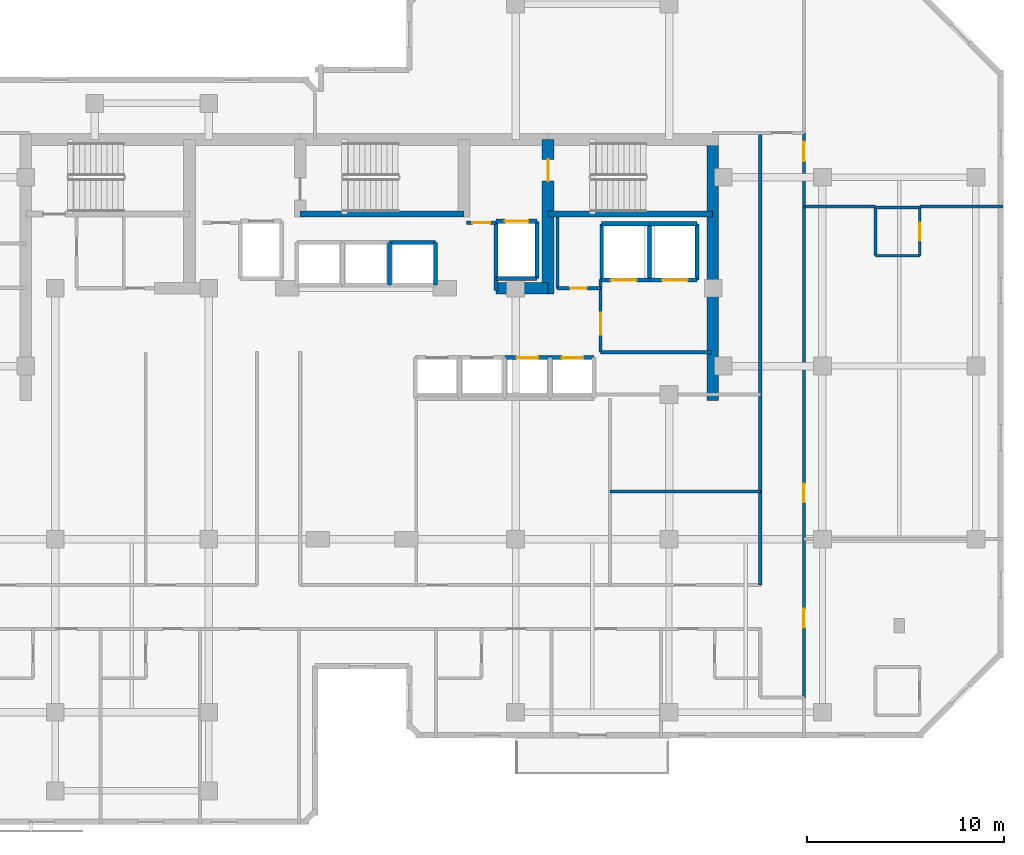
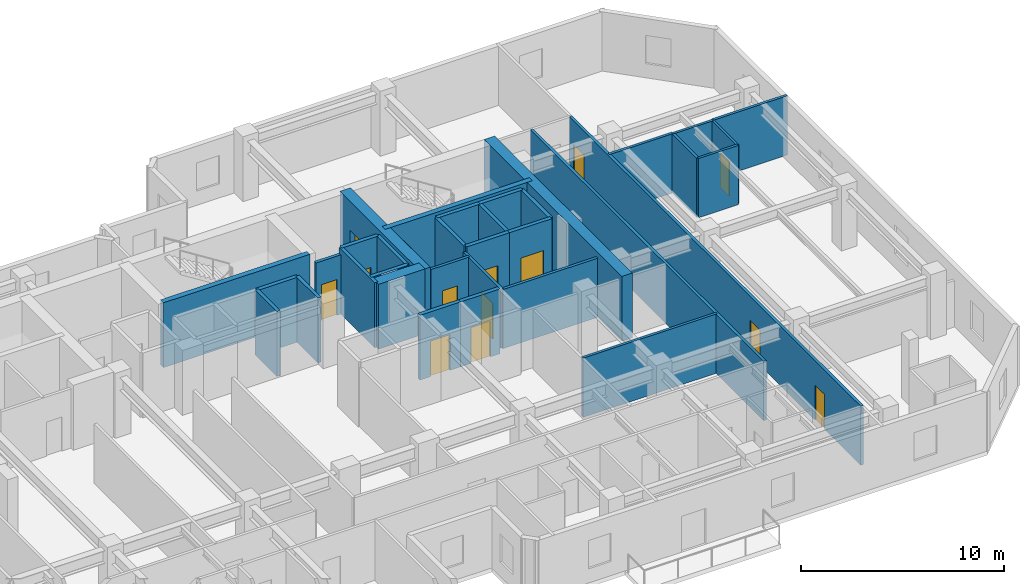
# One storey, part 7 of 11: 35 walls, 13 doors, 13 openings.
"""IFC4 building model written with IfcOpenShell, lengths in metres."""

from ifc_helpers import new_model, si_unit, direction, frame, frame_2d, origin, place, context, subcontext, project, spatial, rectangle, extrude, material, layer, layer_set, type_object, element, fill, save


model = new_model("IFC4")

# Units and contexts
model_context = context("Model", 3, precision=1e-05, world=origin(), true_north=direction((0.0, 1.0)))
body_context = subcontext(model_context, "Body", "Model", "MODEL_VIEW")
ifc_project = project(units=[si_unit("LENGTHUNIT", "METRE"), si_unit("AREAUNIT", "SQUARE_METRE"), si_unit("VOLUMEUNIT", "CUBIC_METRE"), si_unit("PLANEANGLEUNIT", "RADIAN"), si_unit("MASSUNIT", "GRAM", prefix="KILO")], contexts=[model_context])

# Site, building, storey
site_placement = place(None, origin())
site = spatial("IfcSite", under=ifc_project, at=site_placement, CompositionType="ELEMENT")
building_placement = place(site_placement, origin())
building = spatial("IfcBuilding", under=site, at=building_placement, Name="Kestravale Grand Hotel", CompositionType="ELEMENT")
storey_placement = place(building_placement, frame((0.0, 0.0, 228.0)))
storey = spatial("IfcBuildingStorey", under=building, at=storey_placement, Name="L57", CompositionType="ELEMENT", Elevation=228.0)

# Walls
ifc_material_1 = material(Name="Concrete f'c 50 MPa", Category="concrete")
ifc_layer_1 = layer(ifc_material_1, 0.60009765625)
ifc_layer_set_1 = layer_set([ifc_layer_1], Name="EW-CORE-600")
wall_type_1 = type_object("IfcWallType", Name="EW-CORE-600", PredefinedType="SHEAR", material=ifc_layer_set_1)
wall_1_placement = place(storey_placement, frame((56.820068359375, 27.050048828125, 0.0), z_axis=(0.0, 0.0, 1.0), x_axis=(0.0, 1.0, 0.0)))
element("IfcWall", 1, at=wall_1_placement, inside=storey, type_object=wall_type_1, Name="L57 core shear wall E1", PredefinedType="SHEAR", context=body_context, shape_type="SweptSolid", body=[
    extrude(rectangle(XDim=13.570068359375, YDim=0.60009765625, at=frame_2d((6.78515625, 0.0))), origin(), (0.0, 0.0, 1.0), 3.89990234375),
])
wall_2_placement = place(storey_placement, frame((45.81005859375, 32.75, 0.0), z_axis=(0.0, 0.0, 1.0), x_axis=(1.0, 0.0, 0.0)))
element("IfcWall", 2, at=wall_2_placement, inside=storey, type_object=wall_type_1, Name="L57 core shear wall S2", PredefinedType="SHEAR", context=body_context, shape_type="SweptSolid", body=[
    extrude(rectangle(XDim=2.639892578125, YDim=0.60009765625, at=frame_2d((1.31982421875, 0.0))), origin(), (0.0, 0.0, 1.0), 3.89990234375),
])

# Wall, opening, door
wall_3_placement = place(storey_placement, frame((48.449951171875, 32.449951171875, 0.0), z_axis=(0.0, 0.0, 1.0), x_axis=(0.0, 1.0, 0.0)))
wall_3 = element("IfcWall", 3, at=wall_3_placement, inside=storey, type_object=wall_type_1, Name="L57 core shear wall X4", PredefinedType="SHEAR", context=body_context, shape_type="SweptSolid", body=[
    extrude(rectangle(XDim=7.8701171875, YDim=0.60009765625, at=frame_2d((3.93505859375, 0.0))), origin(), (0.0, 0.0, 1.0), 3.89990234375),
])
opening_1_placement = place(wall_3_placement, frame((5.75, 0.0, 0.0)))
opening_1 = element("IfcOpeningElement", 4, at=opening_1_placement, cuts=wall_3, Name="Opening D-ST-1100", PredefinedType="OPENING", context=body_context, shape_type="SweptSolid", body=[
    extrude(rectangle(XDim=1.10009765625, YDim=2.14990234375, at=frame_2d((0.550048828125, 1.074951171875))), frame((0.0, 0.31005859375, 0.0), z_axis=(0.0, -1.0, 0.0), x_axis=(1.0, 0.0, 0.0)), (0.0, 0.0, 1.0), 0.6201171875),
])
ifc_material_2 = material(Name="Galvanised 90-minute fire-rated steel stair door", Category="steel")
door_type_1 = type_object("IfcDoorType", Name="D-ST-1100", OperationType="NOTDEFINED", PredefinedType="DOOR", material=ifc_material_2)
door_1_placement = place(opening_1_placement, origin())
door_1 = element("IfcDoor", 5, at=door_1_placement, inside=storey, type_object=door_type_1, Name="L57 Stair ST-3 FSAE fire door", OperationType="SINGLE_SWING_RIGHT", OverallHeight=2.14990234375, OverallWidth=1.10009765625, PredefinedType="DOOR", context=body_context, shape_type="SweptSolid", body=[
    extrude(rectangle(XDim=1.10009765625, YDim=2.14990234375, at=frame_2d((0.550048828125, 1.074951171875))), frame((0.0, 0.02490234375, 0.0), z_axis=(0.0, -1.0, 0.0), x_axis=(1.0, 0.0, 0.0)), (0.0, 0.0, 1.0), 0.050048828125),
])
fill(opening_1, door_1)

# Walls
ifc_material_3 = material(Name="Concrete f'c 45 MPa", Category="concrete")
ifc_layer_2 = layer(ifc_material_3, 0.300048828125)
ifc_layer_set_2 = layer_set([ifc_layer_2], Name="EW-STAIR-300")
wall_type_2 = type_object("IfcWallType", Name="EW-STAIR-300", PredefinedType="SHEAR", material=ifc_layer_set_2)
wall_4_placement = place(storey_placement, frame((35.85009765625, 36.52001953125, 0.0), z_axis=(0.0, 0.0, 1.0), x_axis=(1.0, 0.0, 0.0)))
element("IfcWall", 6, at=wall_4_placement, inside=storey, type_object=wall_type_2, Name="L57 stair enclosure shear wall SST2", PredefinedType="SHEAR", context=body_context, shape_type="SweptSolid", body=[
    extrude(rectangle(XDim=8.329833984375, YDim=0.300048828125, at=frame_2d((4.1650390625, 0.0))), origin(), (0.0, 0.0, 1.0), 3.89990234375),
])
wall_5_placement = place(storey_placement, frame((48.449951171875, 36.52001953125, 0.0), z_axis=(0.0, 0.0, 1.0), x_axis=(1.0, 0.0, 0.0)))
element("IfcWall", 7, at=wall_5_placement, inside=storey, type_object=wall_type_2, Name="L57 stair enclosure shear wall SST3", PredefinedType="SHEAR", context=body_context, shape_type="SweptSolid", body=[
    extrude(rectangle(XDim=8.3701171875, YDim=0.300048828125, at=frame_2d((4.18505859375, 0.0))), origin(), (0.0, 0.0, 1.0), 3.89990234375),
])

# Wall, opening, door
ifc_material_4 = material(Name="Acoustic fire-rated gypsum board partition", Category="other")
ifc_layer_3 = layer(ifc_material_4, 0.159912109375)
ifc_layer_set_3 = layer_set([ifc_layer_3], Name="IW-CORR-160")
wall_type_3 = type_object("IfcWallType", Name="IW-CORR-160", PredefinedType="PARTITIONING", material=ifc_layer_set_3)
wall_6_placement = place(storey_placement, frame((51.1201171875, 29.5, 0.0), z_axis=(0.0, 0.0, 1.0), x_axis=(0.0, 1.0, 0.0)))
wall_6 = element("IfcWall", 8, at=wall_6_placement, inside=storey, type_object=wall_type_3, Name="W-L57-SVCLOB-W", PredefinedType="PARTITIONING", context=body_context, shape_type="SweptSolid", body=[
    extrude(rectangle(XDim=3.699951171875, YDim=0.159912109375, at=frame_2d((1.85009765625, 0.0))), origin(), (0.0, 0.0, 1.0), 3.56005859375),
])
opening_2_placement = place(wall_6_placement, frame((0.89990234375, 0.0, 0.0)))
opening_2 = element("IfcOpeningElement", 9, at=opening_2_placement, cuts=wall_6, Name="Opening D-CORR-1100", PredefinedType="OPENING", context=body_context, shape_type="SweptSolid", body=[
    extrude(rectangle(XDim=1.10009765625, YDim=2.14990234375, at=frame_2d((0.550048828125, 1.074951171875))), frame((0.0, 0.08984375, 0.0), z_axis=(0.0, -1.0, 0.0), x_axis=(1.0, 0.0, 0.0)), (0.0, 0.0, 1.0), 0.179931640625),
])
ifc_material_5 = material(Name="Single-leaf service vestibule fire door", Category="steel")
door_type_2 = type_object("IfcDoorType", Name="D-CORR-1100", OperationType="NOTDEFINED", PredefinedType="DOOR", material=ifc_material_5)
door_2_placement = place(opening_2_placement, origin())
door_2 = element("IfcDoor", 10, at=door_2_placement, inside=storey, type_object=door_type_2, Name="L57 service lift lobby door", OperationType="SINGLE_SWING_LEFT", OverallHeight=2.14990234375, OverallWidth=1.10009765625, PredefinedType="DOOR", context=body_context, shape_type="SweptSolid", body=[
    extrude(rectangle(XDim=1.10009765625, YDim=2.14990234375, at=frame_2d((0.550048828125, 1.074951171875))), frame((0.0, 0.02490234375, 0.0), z_axis=(0.0, -1.0, 0.0), x_axis=(1.0, 0.0, 0.0)), (0.0, 0.0, 1.0), 0.050048828125),
])
fill(opening_2, door_2)

# Wall
wall_7_placement = place(storey_placement, frame((51.1201171875, 29.5, 0.0), z_axis=(0.0, 0.0, 1.0), x_axis=(1.0, 0.0, 0.0)))
element("IfcWall", 11, at=wall_7_placement, inside=storey, type_object=wall_type_3, Name="L57 service lift lobby wall", PredefinedType="PARTITIONING", context=body_context, shape_type="SweptSolid", body=[
    extrude(rectangle(XDim=5.6298828125, YDim=0.159912109375, at=frame_2d((2.81494140625, 0.0))), origin(), (0.0, 0.0, 1.0), 3.56005859375),
])

# Wall, opening, door
wall_8_placement = place(storey_placement, frame((48.919921875, 32.75, 0.0), z_axis=(0.0, 0.0, 1.0), x_axis=(1.0, 0.0, 0.0)))
wall_8 = element("IfcWall", 12, at=wall_8_placement, inside=storey, type_object=wall_type_3, Name="W-L57-CES", PredefinedType="PARTITIONING", context=body_context, shape_type="SweptSolid", body=[
    extrude(rectangle(XDim=2.2001953125, YDim=0.159912109375, at=frame_2d((1.10009765625, 0.0))), origin(), (0.0, 0.0, 1.0), 3.56005859375),
])
opening_3_placement = place(wall_8_placement, frame((0.64990234375, 0.0, 0.0)))
opening_3 = element("IfcOpeningElement", 13, at=opening_3_placement, cuts=wall_8, Name="Opening D-SH-860", PredefinedType="OPENING", context=body_context, shape_type="SweptSolid", body=[
    extrude(rectangle(XDim=0.860107421875, YDim=2.050048828125, at=frame_2d((0.43017578125, 1.02490234375))), frame((0.0, 0.08984375, 0.0), z_axis=(0.0, -1.0, 0.0), x_axis=(1.0, 0.0, 0.0)), (0.0, 0.0, 1.0), 0.179931640625),
])
ifc_material_6 = material(Name="Galvanised 90-minute riser fire door", Category="steel")
door_type_3 = type_object("IfcDoorType", Name="D-SH-860", OperationType="NOTDEFINED", PredefinedType="DOOR", material=ifc_material_6)
door_3_placement = place(opening_3_placement, origin())
door_3 = element("IfcDoor", 14, at=door_3_placement, inside=storey, type_object=door_type_3, Name="L57 CSTO1 door", OperationType="SINGLE_SWING_RIGHT", OverallHeight=2.050048828125, OverallWidth=0.860107421875, PredefinedType="DOOR", context=body_context, shape_type="SweptSolid", body=[
    extrude(rectangle(XDim=0.860107421875, YDim=2.050048828125, at=frame_2d((0.43017578125, 1.02490234375))), frame((0.0, 0.02490234375, 0.0), z_axis=(0.0, -1.0, 0.0), x_axis=(1.0, 0.0, 0.0)), (0.0, 0.0, 1.0), 0.050048828125),
])
fill(opening_3, door_3)

# Wall, openings, doors
wall_9_placement = place(storey_placement, frame((61.4599609375, 11.949951171875, 0.0), z_axis=(0.0, 0.0, 1.0), x_axis=(0.0, 1.0, 0.0)))
wall_9 = element("IfcWall", 15, at=wall_9_placement, inside=storey, type_object=wall_type_3, Name="W-L57-SE-E", PredefinedType="PARTITIONING", context=body_context, shape_type="SweptSolid", body=[
    extrude(rectangle(XDim=28.699951171875, YDim=0.159912109375, at=frame_2d((14.35009765625, 0.0))), origin(), (0.0, 0.0, 1.0), 3.56005859375),
])
opening_4_placement = place(wall_9_placement, frame((3.550048828125, 0.0, 0.0)))
opening_4 = element("IfcOpeningElement", 16, at=opening_4_placement, cuts=wall_9, Name="Opening D-GUEST-950", PredefinedType="OPENING", context=body_context, shape_type="SweptSolid", body=[
    extrude(rectangle(XDim=0.949951171875, YDim=2.10009765625, at=frame_2d((0.47509765625, 1.050048828125))), frame((0.0, 0.08984375, 0.0), z_axis=(0.0, -1.0, 0.0), x_axis=(1.0, 0.0, 0.0)), (0.0, 0.0, 1.0), 0.179931640625),
])
opening_5_placement = place(wall_9_placement, frame((9.919189453125, 0.0, 0.0)))
opening_5 = element("IfcOpeningElement", 17, at=opening_5_placement, cuts=wall_9, Name="Opening D-GUEST-950", PredefinedType="OPENING", context=body_context, shape_type="SweptSolid", body=[
    extrude(rectangle(XDim=0.949951171875, YDim=2.10009765625, at=frame_2d((0.47509765625, 1.050048828125))), frame((0.0, 0.08984375, 0.0), z_axis=(0.0, -1.0, 0.0), x_axis=(1.0, 0.0, 0.0)), (0.0, 0.0, 1.0), 0.179931640625),
])
opening_6_placement = place(wall_9_placement, frame((27.260009765625, 0.0, 0.0)))
opening_6 = element("IfcOpeningElement", 18, at=opening_6_placement, cuts=wall_9, Name="Opening D-GUEST-1000", PredefinedType="OPENING", context=body_context, shape_type="SweptSolid", body=[
    extrude(rectangle(XDim=1.0, YDim=2.14990234375, at=frame_2d((0.5, 1.074951171875))), frame((0.0, 0.08984375, 0.0), z_axis=(0.0, -1.0, 0.0), x_axis=(1.0, 0.0, 0.0)), (0.0, 0.0, 1.0), 0.179931640625),
])
ifc_material_7 = material(Name="Accessible walnut veneer hotel entrance fire door", Category="wood")
door_type_4 = type_object("IfcDoorType", Name="D-GUEST-1000", OperationType="NOTDEFINED", PredefinedType="DOOR", material=ifc_material_7)
door_4_placement = place(opening_6_placement, origin())
door_4 = element("IfcDoor", 19, at=door_4_placement, inside=storey, type_object=door_type_4, Name="D-L57-AMEW", OperationType="SINGLE_SWING_RIGHT", OverallHeight=2.14990234375, OverallWidth=1.0, PredefinedType="DOOR", context=body_context, shape_type="SweptSolid", body=[
    extrude(rectangle(XDim=1.0, YDim=2.14990234375, at=frame_2d((0.5, 1.074951171875))), frame((0.0, 0.02490234375, 0.0), z_axis=(0.0, -1.0, 0.0), x_axis=(1.0, 0.0, 0.0)), (0.0, 0.0, 1.0), 0.050048828125),
])
fill(opening_6, door_4)
ifc_material_8 = material(Name="Walnut veneer hotel guestroom entrance fire door", Category="wood")
door_type_5 = type_object("IfcDoorType", Name="D-GUEST-950", OperationType="NOTDEFINED", PredefinedType="DOOR", material=ifc_material_8)
door_5_placement = place(opening_4_placement, origin())
door_5 = element("IfcDoor", 20, at=door_5_placement, inside=storey, type_object=door_type_5, Name="D-L57-U09-ENT", OperationType="SINGLE_SWING_LEFT", OverallHeight=2.10009765625, OverallWidth=0.949951171875, PredefinedType="DOOR", context=body_context, shape_type="SweptSolid", body=[
    extrude(rectangle(XDim=0.949951171875, YDim=2.10009765625, at=frame_2d((0.47509765625, 1.050048828125))), frame((0.0, 0.02490234375, 0.0), z_axis=(0.0, -1.0, 0.0), x_axis=(1.0, 0.0, 0.0)), (0.0, 0.0, 1.0), 0.050048828125),
])
fill(opening_4, door_5)
door_6_placement = place(opening_5_placement, origin())
door_6 = element("IfcDoor", 21, at=door_6_placement, inside=storey, type_object=door_type_5, Name="D-L57-U10-ENT", OperationType="SINGLE_SWING_LEFT", OverallHeight=2.10009765625, OverallWidth=0.949951171875, PredefinedType="DOOR", context=body_context, shape_type="SweptSolid", body=[
    extrude(rectangle(XDim=0.949951171875, YDim=2.10009765625, at=frame_2d((0.47509765625, 1.050048828125))), frame((0.0, 0.02490234375, 0.0), z_axis=(0.0, -1.0, 0.0), x_axis=(1.0, 0.0, 0.0)), (0.0, 0.0, 1.0), 0.050048828125),
])
fill(opening_5, door_6)

# Wall
wall_10_placement = place(storey_placement, frame((59.239990234375, 17.659912109375, 0.0), z_axis=(0.0, 0.0, 1.0), x_axis=(0.0, 1.0, 0.0)))
element("IfcWall", 22, at=wall_10_placement, inside=storey, type_object=wall_type_3, Name="W-L57-SE-WU", PredefinedType="PARTITIONING", context=body_context, shape_type="SweptSolid", body=[
    extrude(rectangle(XDim=22.989990234375, YDim=0.159912109375, at=frame_2d((11.4951171875, 0.0))), origin(), (0.0, 0.0, 1.0), 3.56005859375),
])

# Wall, opening, door
ifc_material_9 = material(Name="Fire-rated gypsum board on steel studs with mineral wool", Category="steel")
ifc_layer_4 = layer(ifc_material_9, 0.179931640625)
ifc_layer_set_4 = layer_set([ifc_layer_4], Name="IW-FSAE-180")
wall_type_4 = type_object("IfcWallType", Name="IW-FSAE-180", PredefinedType="PARTITIONING", material=ifc_layer_set_4)
wall_11_placement = place(storey_placement, frame((44.300048828125, 36.080078125, 0.0), z_axis=(0.0, 0.0, 1.0), x_axis=(1.0, 0.0, 0.0)))
wall_11 = element("IfcWall", 23, at=wall_11_placement, inside=storey, type_object=wall_type_4, Name="L57 FSAE Lobby 2 smoke barrier", PredefinedType="PARTITIONING", context=body_context, shape_type="SweptSolid", body=[
    extrude(rectangle(XDim=1.5, YDim=0.179931640625, at=frame_2d((0.75, 0.0))), origin(), (0.0, 0.0, 1.0), 3.56005859375),
])
opening_7_placement = place(wall_11_placement, frame((0.300048828125, 0.0, 0.0)))
opening_7 = element("IfcOpeningElement", 24, at=opening_7_placement, cuts=wall_11, Name="Opening D-FSAE-1000", PredefinedType="OPENING", context=body_context, shape_type="SweptSolid", body=[
    extrude(rectangle(XDim=0.89990234375, YDim=2.14990234375, at=frame_2d((0.449951171875, 1.074951171875))), frame((0.0, 0.099853515625, 0.0), z_axis=(0.0, -1.0, 0.0), x_axis=(1.0, 0.0, 0.0)), (0.0, 0.0, 1.0), 0.199951171875),
])
ifc_material_10 = material(Name="Smoke-gasketed FSAE lobby fire door", Category="steel")
door_type_6 = type_object("IfcDoorType", Name="D-FSAE-1000", OperationType="NOTDEFINED", PredefinedType="DOOR", material=ifc_material_10)
door_7_placement = place(opening_7_placement, origin())
door_7 = element("IfcDoor", 25, at=door_7_placement, inside=storey, type_object=door_type_6, Name="L57 FSAE Lobby 2 fire door", OperationType="SINGLE_SWING_LEFT", OverallHeight=2.14990234375, OverallWidth=0.89990234375, PredefinedType="DOOR", context=body_context, shape_type="SweptSolid", body=[
    extrude(rectangle(XDim=0.89990234375, YDim=2.14990234375, at=frame_2d((0.449951171875, 1.074951171875))), frame((0.0, 0.02490234375, 0.0), z_axis=(0.0, -1.0, 0.0), x_axis=(1.0, 0.0, 0.0)), (0.0, 0.0, 1.0), 0.050048828125),
])
fill(opening_7, door_7)

# Wall
ifc_material_11 = material(Name="Moisture-resistant tile-backer plumbing chase wall", Category="other")
ifc_layer_5 = layer(ifc_material_11, 0.139892578125)
ifc_layer_set_5 = layer_set([ifc_layer_5], Name="IW-PLB-140")
wall_type_5 = type_object("IfcWallType", Name="IW-PLB-140", PredefinedType="PLUMBINGWALL", material=ifc_layer_set_5)
wall_12_placement = place(storey_placement, frame((65.10009765625, 34.409912109375, 0.0), z_axis=(0.0, 0.0, 1.0), x_axis=(0.0, 1.0, 0.0)))
element("IfcWall", 26, at=wall_12_placement, inside=storey, type_object=wall_type_5, Name="W-L57-U10-BW", PredefinedType="PLUMBINGWALL", context=body_context, shape_type="SweptSolid", body=[
    extrude(rectangle(XDim=2.4501953125, YDim=0.139892578125, at=frame_2d((1.22509765625, 0.0))), origin(), (0.0, 0.0, 1.0), 3.56005859375),
])

# Wall, opening, door
wall_13_placement = place(storey_placement, frame((67.35009765625, 34.409912109375, 0.0), z_axis=(0.0, 0.0, 1.0), x_axis=(0.0, 1.0, 0.0)))
wall_13 = element("IfcWall", 27, at=wall_13_placement, inside=storey, type_object=wall_type_5, Name="W-L57-U10-BE", PredefinedType="PLUMBINGWALL", context=body_context, shape_type="SweptSolid", body=[
    extrude(rectangle(XDim=2.4501953125, YDim=0.139892578125, at=frame_2d((1.22509765625, 0.0))), origin(), (0.0, 0.0, 1.0), 3.56005859375),
])
opening_8_placement = place(wall_13_placement, frame((0.784912109375, 0.0, 0.0)))
opening_8 = element("IfcOpeningElement", 28, at=opening_8_placement, cuts=wall_13, Name="Opening D-BATH-880", PredefinedType="OPENING", context=body_context, shape_type="SweptSolid", body=[
    extrude(rectangle(XDim=0.8798828125, YDim=2.050048828125, at=frame_2d((0.43994140625, 1.02490234375))), frame((0.0, 0.079833984375, 0.0), z_axis=(0.0, -1.0, 0.0), x_axis=(1.0, 0.0, 0.0)), (0.0, 0.0, 1.0), 0.159912109375),
])
ifc_material_12 = material(Name="Moisture-sealed walnut en-suite bathroom door", Category="wood")
door_type_7 = type_object("IfcDoorType", Name="D-BATH-880", OperationType="NOTDEFINED", PredefinedType="DOOR", material=ifc_material_12)
door_8_placement = place(opening_8_placement, origin())
door_8 = element("IfcDoor", 29, at=door_8_placement, inside=storey, type_object=door_type_7, Name="D-L57-U10-BATH", OperationType="SINGLE_SWING_RIGHT", OverallHeight=2.050048828125, OverallWidth=0.8798828125, PredefinedType="DOOR", context=body_context, shape_type="SweptSolid", body=[
    extrude(rectangle(XDim=0.8798828125, YDim=2.050048828125, at=frame_2d((0.43994140625, 1.02490234375))), frame((0.0, 0.02490234375, 0.0), z_axis=(0.0, -1.0, 0.0), x_axis=(1.0, 0.0, 0.0)), (0.0, 0.0, 1.0), 0.050048828125),
])
fill(opening_8, door_8)

# Walls
for number, where, z_axis, x_axis, name in (
    (30, (65.10009765625, 34.409912109375, 0.0), (0.0, 0.0, 1.0), (1.0, 0.0, 0.0), "W-L57-U10-BS"),
    (31, (65.10009765625, 36.860107421875, 0.0), (0.0, 0.0, 1.0), (1.0, 0.0, 0.0), "W-L57-U10-BN"),
):
    element("IfcWall", number, at=place(storey_placement, frame(where, z_axis=z_axis, x_axis=x_axis)), inside=storey, type_object=wall_type_5, Name=name, PredefinedType="PLUMBINGWALL", context=body_context, shape_type="SweptSolid", body=[
        extrude(rectangle(XDim=2.25, YDim=0.139892578125, at=frame_2d((1.125, 0.0))), origin(), (0.0, 0.0, 1.0), 3.56005859375),
    ])
ifc_material_13 = material(Name="Concrete f'c 45 MPa", Category="concrete")
ifc_layer_6 = layer(ifc_material_13, 0.199951171875)
ifc_layer_set_6 = layer_set([ifc_layer_6], Name="IW-SHAFT-200")
wall_type_6 = type_object("IfcWallType", Name="IW-SHAFT-200", PredefinedType="SHEAR", material=ifc_layer_set_6)
for number, where, z_axis, x_axis, name in (
    (32, (40.39990234375, 32.919921875, 0.0), (0.0, 0.0, 1.0), (0.0, 1.0, 0.0), "L57 PL-X3 west shaft wall"),
    (33, (42.719970703125, 32.919921875, 0.0), (0.0, 0.0, 1.0), (0.0, 1.0, 0.0), "L57 PL-X3 east shaft wall"),
):
    element("IfcWall", number, at=place(storey_placement, frame(where, z_axis=z_axis, x_axis=x_axis)), inside=storey, type_object=wall_type_6, Name=name, PredefinedType="SHEAR", context=body_context, shape_type="SweptSolid", body=[
        extrude(rectangle(XDim=2.16015625, YDim=0.199951171875, at=frame_2d((1.080078125, 0.0))), origin(), (0.0, 0.0, 1.0), 3.89990234375),
    ])
for number, where, z_axis, x_axis, name in (
    (34, (51.179931640625, 33.169921875, 0.0), (0.0, 0.0, 1.0), (0.0, 1.0, 0.0), "L57 SL-1 west shaft wall"),
    (35, (53.60009765625, 33.169921875, 0.0), (0.0, 0.0, 1.0), (0.0, 1.0, 0.0), "L57 SL-2 west shaft wall"),
    (36, (56.02001953125, 33.169921875, 0.0), (0.0, 0.0, 1.0), (0.0, 1.0, 0.0), "L57 SL-2 east shaft wall"),
):
    element("IfcWall", number, at=place(storey_placement, frame(where, z_axis=z_axis, x_axis=x_axis)), inside=storey, type_object=wall_type_6, Name=name, PredefinedType="SHEAR", context=body_context, shape_type="SweptSolid", body=[
        extrude(rectangle(XDim=2.860107421875, YDim=0.199951171875, at=frame_2d((1.43017578125, 0.0))), origin(), (0.0, 0.0, 1.0), 3.89990234375),
    ])
wall_14_placement = place(storey_placement, frame((45.804931640625, 32.64990234375, 0.0), z_axis=(0.0, 0.0, 1.0), x_axis=(0.0, 1.0, 0.0)))
element("IfcWall", 37, at=wall_14_placement, inside=storey, type_object=wall_type_6, Name="L57 FL-2 west shaft wall", PredefinedType="SHEAR", context=body_context, shape_type="SweptSolid", body=[
    extrude(rectangle(XDim=3.505126953125, YDim=0.199951171875, at=frame_2d((1.75244140625, 0.0))), origin(), (0.0, 0.0, 1.0), 3.89990234375),
])
wall_15_placement = place(storey_placement, frame((47.89501953125, 33.2451171875, 0.0), z_axis=(0.0, 0.0, 1.0), x_axis=(0.0, 1.0, 0.0)))
element("IfcWall", 38, at=wall_15_placement, inside=storey, type_object=wall_type_6, Name="L57 FL-2 east shaft wall", PredefinedType="SHEAR", context=body_context, shape_type="SweptSolid", body=[
    extrude(rectangle(XDim=2.909912109375, YDim=0.199951171875, at=frame_2d((1.455078125, 0.0))), origin(), (0.0, 0.0, 1.0), 3.89990234375),
])

# Wall, opening, door
ifc_material_14 = material(Name="Concrete f'c 45 MPa", Category="concrete")
ifc_layer_7 = layer(ifc_material_14, 0.219970703125)
ifc_layer_set_7 = layer_set([ifc_layer_7], Name="IW-SHAFT-220")
wall_type_7 = type_object("IfcWallType", Name="IW-SHAFT-220", PredefinedType="SHEAR", material=ifc_layer_set_7)
wall_16_placement = place(storey_placement, frame((46.25, 29.22998046875, 0.0), z_axis=(0.0, 0.0, 1.0), x_axis=(1.0, 0.0, 0.0)))
wall_16 = element("IfcWall", 39, at=wall_16_placement, inside=storey, type_object=wall_type_7, Name="L57 PL-M3 north shaft wall", PredefinedType="SHEAR", context=body_context, shape_type="SweptSolid", body=[
    extrude(rectangle(XDim=2.300048828125, YDim=0.219970703125, at=frame_2d((1.14990234375, 0.0))), origin(), (0.0, 0.0, 1.0), 3.89990234375),
])
opening_9_placement = place(wall_16_placement, frame((0.60009765625, 0.0, 0.0)))
opening_9 = element("IfcOpeningElement", 40, at=opening_9_placement, cuts=wall_16, Name="Opening LD-PAX-1100", PredefinedType="OPENING", context=body_context, shape_type="SweptSolid", body=[
    extrude(rectangle(XDim=1.10009765625, YDim=2.14990234375, at=frame_2d((0.550048828125, 1.074951171875))), frame((0.0, 0.119873046875, 0.0), z_axis=(0.0, -1.0, 0.0), x_axis=(1.0, 0.0, 0.0)), (0.0, 0.0, 1.0), 0.239990234375),
])
ifc_material_15 = material(Name="Champagne-bronze center-opening sliding elevator landing door", Category="steel")
door_type_8 = type_object("IfcDoorType", Name="LD-PAX-1100", OperationType="NOTDEFINED", PredefinedType="DOOR", material=ifc_material_15)
door_9_placement = place(opening_9_placement, origin())
door_9 = element("IfcDoor", 41, at=door_9_placement, inside=storey, type_object=door_type_8, Name="L57 PL-M3 elevator landing sliding door", OperationType="DOUBLE_DOOR_SLIDING", OverallHeight=2.14990234375, OverallWidth=1.10009765625, PredefinedType="DOOR", context=body_context, shape_type="SweptSolid", body=[
    extrude(rectangle(XDim=1.10009765625, YDim=2.14990234375, at=frame_2d((0.550048828125, 1.074951171875))), frame((0.0, 0.02490234375, 0.0), z_axis=(0.0, -1.0, 0.0), x_axis=(1.0, 0.0, 0.0)), (0.0, 0.0, 1.0), 0.050048828125),
])
fill(opening_9, door_9)

wall_17_placement = place(storey_placement, frame((48.550048828125, 29.22998046875, 0.0), z_axis=(0.0, 0.0, 1.0), x_axis=(1.0, 0.0, 0.0)))
wall_17 = element("IfcWall", 42, at=wall_17_placement, inside=storey, type_object=wall_type_7, Name="L57 PL-M4 north shaft wall", PredefinedType="SHEAR", context=body_context, shape_type="SweptSolid", body=[
    extrude(rectangle(XDim=2.244873046875, YDim=0.219970703125, at=frame_2d((1.12255859375, 0.0))), origin(), (0.0, 0.0, 1.0), 3.89990234375),
])
opening_10_placement = place(wall_17_placement, frame((0.60009765625, 0.0, 0.0)))
opening_10 = element("IfcOpeningElement", 43, at=opening_10_placement, cuts=wall_17, Name="Opening LD-PAX-1100", PredefinedType="OPENING", context=body_context, shape_type="SweptSolid", body=[
    extrude(rectangle(XDim=1.10009765625, YDim=2.14990234375, at=frame_2d((0.550048828125, 1.074951171875))), frame((0.0, 0.119873046875, 0.0), z_axis=(0.0, -1.0, 0.0), x_axis=(1.0, 0.0, 0.0)), (0.0, 0.0, 1.0), 0.239990234375),
])
door_10_placement = place(opening_10_placement, origin())
door_10 = element("IfcDoor", 44, at=door_10_placement, inside=storey, type_object=door_type_8, Name="L57 PL-M4 elevator landing sliding door", OperationType="DOUBLE_DOOR_SLIDING", OverallHeight=2.14990234375, OverallWidth=1.10009765625, PredefinedType="DOOR", context=body_context, shape_type="SweptSolid", body=[
    extrude(rectangle(XDim=1.10009765625, YDim=2.14990234375, at=frame_2d((0.550048828125, 1.074951171875))), frame((0.0, 0.02490234375, 0.0), z_axis=(0.0, -1.0, 0.0), x_axis=(1.0, 0.0, 0.0)), (0.0, 0.0, 1.0), 0.050048828125),
])
fill(opening_10, door_10)

# Walls
wall_18_placement = place(storey_placement, frame((40.39990234375, 35.080078125, 0.0), z_axis=(0.0, 0.0, 1.0), x_axis=(1.0, 0.0, 0.0)))
element("IfcWall", 45, at=wall_18_placement, inside=storey, type_object=wall_type_7, Name="L57 PL-X3 north shaft wall", PredefinedType="SHEAR", context=body_context, shape_type="SweptSolid", body=[
    extrude(rectangle(XDim=2.320068359375, YDim=0.219970703125, at=frame_2d((1.16015625, 0.0))), origin(), (0.0, 0.0, 1.0), 3.89990234375),
])
wall_19_placement = place(storey_placement, frame((51.179931640625, 36.030029296875, 0.0), z_axis=(0.0, 0.0, 1.0), x_axis=(1.0, 0.0, 0.0)))
element("IfcWall", 46, at=wall_19_placement, inside=storey, type_object=wall_type_7, Name="L57 SL-1 north shaft wall", PredefinedType="SHEAR", context=body_context, shape_type="SweptSolid", body=[
    extrude(rectangle(XDim=2.420166015625, YDim=0.219970703125, at=frame_2d((1.2099609375, 0.0))), origin(), (0.0, 0.0, 1.0), 3.89990234375),
])

# Wall, opening, door
wall_20_placement = place(storey_placement, frame((51.179931640625, 33.169921875, 0.0), z_axis=(0.0, 0.0, 1.0), x_axis=(1.0, 0.0, 0.0)))
wall_20 = element("IfcWall", 47, at=wall_20_placement, inside=storey, type_object=wall_type_7, Name="L57 SL-1 south shaft wall", PredefinedType="SHEAR", context=body_context, shape_type="SweptSolid", body=[
    extrude(rectangle(XDim=2.420166015625, YDim=0.219970703125, at=frame_2d((1.2099609375, 0.0))), origin(), (0.0, 0.0, 1.0), 3.89990234375),
])
opening_11_placement = place(wall_20_placement, frame((0.469970703125, 0.0, 0.0)))
opening_11 = element("IfcOpeningElement", 48, at=opening_11_placement, cuts=wall_20, Name="Opening LD-SVC-1300", PredefinedType="OPENING", context=body_context, shape_type="SweptSolid", body=[
    extrude(rectangle(XDim=1.300048828125, YDim=2.14990234375, at=frame_2d((0.64990234375, 1.074951171875))), frame((0.0, 0.119873046875, 0.0), z_axis=(0.0, -1.0, 0.0), x_axis=(1.0, 0.0, 0.0)), (0.0, 0.0, 1.0), 0.239990234375),
])
ifc_material_16 = material(Name="Heavy-duty service sliding elevator landing door", Category="steel")
door_type_9 = type_object("IfcDoorType", Name="LD-SVC-1300", OperationType="NOTDEFINED", PredefinedType="DOOR", material=ifc_material_16)
door_11_placement = place(opening_11_placement, origin())
door_11 = element("IfcDoor", 49, at=door_11_placement, inside=storey, type_object=door_type_9, Name="L57 SL-1 elevator landing sliding door", OperationType="DOUBLE_DOOR_SLIDING", OverallHeight=2.14990234375, OverallWidth=1.300048828125, PredefinedType="DOOR", context=body_context, shape_type="SweptSolid", body=[
    extrude(rectangle(XDim=1.300048828125, YDim=2.14990234375, at=frame_2d((0.64990234375, 1.074951171875))), frame((0.0, 0.02490234375, 0.0), z_axis=(0.0, -1.0, 0.0), x_axis=(1.0, 0.0, 0.0)), (0.0, 0.0, 1.0), 0.050048828125),
])
fill(opening_11, door_11)

# Wall
wall_21_placement = place(storey_placement, frame((53.60009765625, 36.030029296875, 0.0), z_axis=(0.0, 0.0, 1.0), x_axis=(1.0, 0.0, 0.0)))
element("IfcWall", 50, at=wall_21_placement, inside=storey, type_object=wall_type_7, Name="L57 SL-2 north shaft wall", PredefinedType="SHEAR", context=body_context, shape_type="SweptSolid", body=[
    extrude(rectangle(XDim=2.419921875, YDim=0.219970703125, at=frame_2d((1.2099609375, 0.0))), origin(), (0.0, 0.0, 1.0), 3.89990234375),
])

# Wall, opening, door
wall_22_placement = place(storey_placement, frame((53.60009765625, 33.169921875, 0.0), z_axis=(0.0, 0.0, 1.0), x_axis=(1.0, 0.0, 0.0)))
wall_22 = element("IfcWall", 51, at=wall_22_placement, inside=storey, type_object=wall_type_7, Name="L57 SL-2 south shaft wall", PredefinedType="SHEAR", context=body_context, shape_type="SweptSolid", body=[
    extrude(rectangle(XDim=2.419921875, YDim=0.219970703125, at=frame_2d((1.2099609375, 0.0))), origin(), (0.0, 0.0, 1.0), 3.89990234375),
])
opening_12_placement = place(wall_22_placement, frame((0.64990234375, 0.0, 0.0)))
opening_12 = element("IfcOpeningElement", 52, at=opening_12_placement, cuts=wall_22, Name="Opening LD-SVC-1300", PredefinedType="OPENING", context=body_context, shape_type="SweptSolid", body=[
    extrude(rectangle(XDim=1.300048828125, YDim=2.14990234375, at=frame_2d((0.64990234375, 1.074951171875))), frame((0.0, 0.119873046875, 0.0), z_axis=(0.0, -1.0, 0.0), x_axis=(1.0, 0.0, 0.0)), (0.0, 0.0, 1.0), 0.239990234375),
])
door_12_placement = place(opening_12_placement, origin())
door_12 = element("IfcDoor", 53, at=door_12_placement, inside=storey, type_object=door_type_9, Name="L57 SL-2 elevator landing sliding door", OperationType="DOUBLE_DOOR_SLIDING", OverallHeight=2.14990234375, OverallWidth=1.300048828125, PredefinedType="DOOR", context=body_context, shape_type="SweptSolid", body=[
    extrude(rectangle(XDim=1.300048828125, YDim=2.14990234375, at=frame_2d((0.64990234375, 1.074951171875))), frame((0.0, 0.02490234375, 0.0), z_axis=(0.0, -1.0, 0.0), x_axis=(1.0, 0.0, 0.0)), (0.0, 0.0, 1.0), 0.050048828125),
])
fill(opening_12, door_12)

wall_23_placement = place(storey_placement, frame((45.804931640625, 36.155029296875, 0.0), z_axis=(0.0, 0.0, 1.0), x_axis=(1.0, 0.0, 0.0)))
wall_23 = element("IfcWall", 54, at=wall_23_placement, inside=storey, type_object=wall_type_7, Name="L57 FL-2 north shaft wall", PredefinedType="SHEAR", context=body_context, shape_type="SweptSolid", body=[
    extrude(rectangle(XDim=2.090087890625, YDim=0.219970703125, at=frame_2d((1.044921875, 0.0))), origin(), (0.0, 0.0, 1.0), 3.89990234375),
])
opening_13_placement = place(wall_23_placement, frame((0.445068359375, 0.0, 0.0)))
opening_13 = element("IfcOpeningElement", 55, at=opening_13_placement, cuts=wall_23, Name="Opening LD-FSAE-1200", PredefinedType="OPENING", context=body_context, shape_type="SweptSolid", body=[
    extrude(rectangle(XDim=1.199951171875, YDim=2.14990234375, at=frame_2d((0.60009765625, 1.074951171875))), frame((0.0, 0.119873046875, 0.0), z_axis=(0.0, -1.0, 0.0), x_axis=(1.0, 0.0, 0.0)), (0.0, 0.0, 1.0), 0.239990234375),
])
ifc_material_17 = material(Name="Stainless fire-service sliding elevator landing door", Category="steel")
door_type_10 = type_object("IfcDoorType", Name="LD-FSAE-1200", OperationType="NOTDEFINED", PredefinedType="DOOR", material=ifc_material_17)
door_13_placement = place(opening_13_placement, origin())
door_13 = element("IfcDoor", 56, at=door_13_placement, inside=storey, type_object=door_type_10, Name="L57 FL-2 elevator landing sliding door", OperationType="DOUBLE_DOOR_SLIDING", OverallHeight=2.14990234375, OverallWidth=1.199951171875, PredefinedType="DOOR", context=body_context, shape_type="SweptSolid", body=[
    extrude(rectangle(XDim=1.199951171875, YDim=2.14990234375, at=frame_2d((0.60009765625, 1.074951171875))), frame((0.0, 0.02490234375, 0.0), z_axis=(0.0, -1.0, 0.0), x_axis=(1.0, 0.0, 0.0)), (0.0, 0.0, 1.0), 0.050048828125),
])
fill(opening_13, door_13)

# Walls
wall_24_placement = place(storey_placement, frame((45.804931640625, 33.2451171875, 0.0), z_axis=(0.0, 0.0, 1.0), x_axis=(1.0, 0.0, 0.0)))
element("IfcWall", 57, at=wall_24_placement, inside=storey, type_object=wall_type_7, Name="L57 FL-2 south shaft wall", PredefinedType="SHEAR", context=body_context, shape_type="SweptSolid", body=[
    extrude(rectangle(XDim=2.090087890625, YDim=0.219970703125, at=frame_2d((1.044921875, 0.0))), origin(), (0.0, 0.0, 1.0), 3.89990234375),
])
ifc_material_18 = material(Name="Double-stud STC 52 acoustic demising partition", Category="other")
ifc_layer_8 = layer(ifc_material_18, 0.14990234375)
ifc_layer_set_8 = layer_set([ifc_layer_8], Name="IW-UNIT-150")
wall_type_8 = type_object("IfcWallType", Name="IW-UNIT-150", PredefinedType="PARTITIONING", material=ifc_layer_set_8)
wall_25_placement = place(storey_placement, frame((48.919921875, 32.75, 0.0), z_axis=(0.0, 0.0, 1.0), x_axis=(0.0, 1.0, 0.0)))
element("IfcWall", 58, at=wall_25_placement, inside=storey, type_object=wall_type_8, Name="W-L57-CEW", PredefinedType="PARTITIONING", context=body_context, shape_type="SweptSolid", body=[
    extrude(rectangle(XDim=3.6201171875, YDim=0.14990234375, at=frame_2d((1.81005859375, 0.0))), origin(), (0.0, 0.0, 1.0), 3.56005859375),
])
wall_26_placement = place(storey_placement, frame((51.60009765625, 22.419921875, 0.0), z_axis=(0.0, 0.0, 1.0), x_axis=(1.0, 0.0, 0.0)))
element("IfcWall", 59, at=wall_26_placement, inside=storey, type_object=wall_type_8, Name="W-L57-RCLE-H", PredefinedType="PARTITIONING", context=body_context, shape_type="SweptSolid", body=[
    extrude(rectangle(XDim=7.639892578125, YDim=0.14990234375, at=frame_2d((3.81982421875, 0.0))), origin(), (0.0, 0.0, 1.0), 3.56005859375),
])
wall_27_placement = place(storey_placement, frame((61.4599609375, 36.89990234375, 0.0), z_axis=(0.0, 0.0, 1.0), x_axis=(1.0, 0.0, 0.0)))
element("IfcWall", 60, at=wall_27_placement, inside=storey, type_object=wall_type_8, Name="W-L57-EW-2", PredefinedType="PARTITIONING", context=body_context, shape_type="SweptSolid", body=[
    extrude(rectangle(XDim=3.64013671875, YDim=0.14990234375, at=frame_2d((1.820068359375, 0.0))), origin(), (0.0, 0.0, 1.0), 3.56005859375),
])
wall_28_placement = place(storey_placement, frame((67.35009765625, 36.89990234375, 0.0), z_axis=(0.0, 0.0, 1.0), x_axis=(1.0, 0.0, 0.0)))
element("IfcWall", 61, at=wall_28_placement, inside=storey, type_object=wall_type_8, Name="W-L57-EW-2", PredefinedType="PARTITIONING", context=body_context, shape_type="SweptSolid", body=[
    extrude(rectangle(XDim=4.22998046875, YDim=0.14990234375, at=frame_2d((2.114990234375, 0.0))), origin(), (0.0, 0.0, 1.0), 3.56005859375),
])

save(model, "model.ifc")
